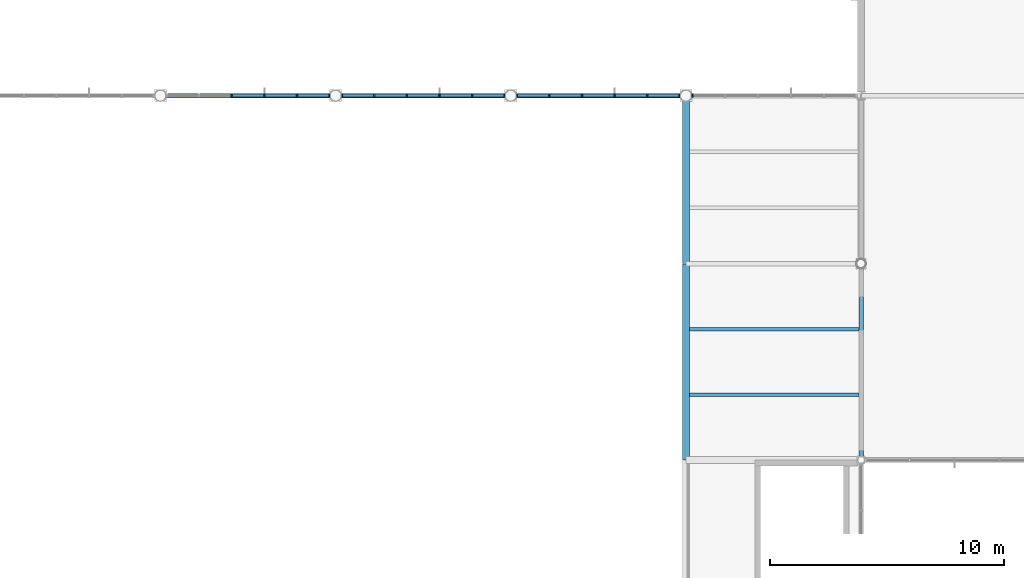
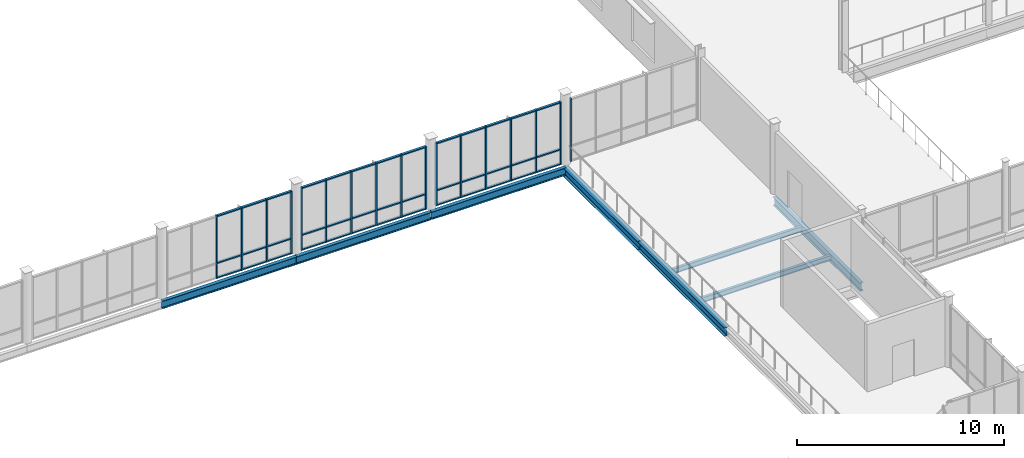
# One storey, part 23 of 75: 56 members, 8 beams, 4 elements without a shape of their own.
"""IFC4 building model written with IfcOpenShell, lengths in metres."""

from ifc_helpers import new_model, si_unit, direction, frame, origin, origin_2d, place, context, subcontext, project, spatial, rectangle, i_section, extrude, material, layer, layer_set, material_profile, profile_set, type_object, element, aggregate, save


model = new_model("IFC4")

# Units and contexts
model_context = context("Model", 3, precision=1e-05, world=origin(), true_north=direction((0.0, 1.0)))
body_context = subcontext(model_context, "Body", "Model", "MODEL_VIEW")
ifc_project = project(units=[si_unit("LENGTHUNIT", "METRE"), si_unit("AREAUNIT", "SQUARE_METRE"), si_unit("VOLUMEUNIT", "CUBIC_METRE"), si_unit("PLANEANGLEUNIT", "RADIAN"), si_unit("MASSUNIT", "GRAM", prefix="KILO")], contexts=[model_context])

# Site, building, storey
site_placement = place(None, origin())
site = spatial("IfcSite", under=ifc_project, at=site_placement, CompositionType="ELEMENT")
building_placement = place(site_placement, origin())
building = spatial("IfcBuilding", under=site, at=building_placement, Name="Yukiwa Park Conservatory and Herbarium", CompositionType="ELEMENT")
storey_placement = place(building_placement, frame((0.0, 0.0, 4.800048828125)))
storey = spatial("IfcBuildingStorey", under=building, at=storey_placement, Name="L01", CompositionType="ELEMENT", Elevation=4.800048828125)

# Beams
ifc_material_1 = material(Name="Steel Q355D", Category="steel")
ifc_material_profile_1 = material_profile(ifc_material_1, i_section(OverallWidth=0.199951171875, OverallDepth=0.449951171875, WebThickness=0.009033203125, FlangeThickness=0.013916015625, FilletRadius=0.01806640625, at=origin_2d()), Name="HN 450x200x9x14")
ifc_profile_set_1 = profile_set([ifc_material_profile_1], Name="Steel Q355D")
beam_type_1 = type_object("IfcBeamType", Name="BM-GRD-HN450", PredefinedType="BEAM", material=ifc_profile_set_1)
for number, where, z_axis, x_axis, name in (
    (1, (30.006103515625, 31.199951171875, -0.465087890625), (1.0, 0.0, 0.0), (0.0, 1.0, 0.0), "L01 grid beam X-22"),
    (2, (37.506103515625, 31.199951171875, -0.465087890625), (1.0, 0.0, 0.0), (0.0, 1.0, 0.0), "L01 grid beam X-23"),
    (3, (45.006103515625, 31.199951171875, -0.465087890625), (1.0, 0.0, 0.0), (0.0, 1.0, 0.0), "L01 grid beam X-24"),
):
    element("IfcBeam", number, at=place(storey_placement, frame(where, z_axis=z_axis, x_axis=x_axis)), inside=storey, type_object=beam_type_1, Name=name, PredefinedType="BEAM", context=body_context, shape_type="SweptSolid", body=[
        extrude(i_section(OverallWidth=0.199951171875, OverallDepth=0.449951171875, WebThickness=0.009033203125, FlangeThickness=0.013916015625, FilletRadius=0.01806640625, at=origin_2d()), origin(), (0.0, 0.0, 1.0), 7.48779296875),
    ])
ifc_material_2 = material(Name="Steel Q355D", Category="steel")
ifc_material_profile_2 = material_profile(ifc_material_2, i_section(OverallWidth=0.199951171875, OverallDepth=0.5, WebThickness=0.010009765625, FlangeThickness=0.01611328125, FilletRadius=0.02001953125, at=origin_2d()), Name="HN 500x200x10x16")
ifc_profile_set_2 = profile_set([ifc_material_profile_2], Name="Steel Q355D")
beam_type_2 = type_object("IfcBeamType", Name="BM-GRD-HN500", PredefinedType="BEAM", material=ifc_profile_set_2)
beam_1_placement = place(storey_placement, frame((60.0, 15.60595703125, -0.489990234375), z_axis=(0.0, 1.0, 0.0), x_axis=(-1.0, 0.0, 0.0)))
element("IfcBeam", 4, at=beam_1_placement, inside=storey, type_object=beam_type_2, Name="L01 grid girder Y-117", PredefinedType="BEAM", context=body_context, shape_type="SweptSolid", body=[
    extrude(i_section(OverallWidth=0.199951171875, OverallDepth=0.5, WebThickness=0.010009765625, FlangeThickness=0.01611328125, FilletRadius=0.02001953125, at=origin_2d()), origin(), (0.0, 0.0, 1.0), 8.387939453125),
])
ifc_material_3 = material(Name="Steel Q355D", Category="steel")
ifc_material_profile_3 = material_profile(ifc_material_3, i_section(OverallWidth=0.14990234375, OverallDepth=0.300048828125, WebThickness=0.006591796875, FlangeThickness=0.009033203125, FilletRadius=0.012939453125, at=origin_2d()), Name="HN 300x150x6.5x9")
ifc_profile_set_3 = profile_set([ifc_material_profile_3], Name="Steel Q355D")
beam_type_3 = type_object("IfcBeamType", Name="BM-JST-HN300", PredefinedType="JOIST", material=ifc_profile_set_3)
for number, where, z_axis, x_axis, name in (
    (5, (52.64599609375, 18.39990234375, -0.39013671875), (1.0, 0.0, 0.0), (0.0, 1.0, 0.0), "L01 composite floor joist 3"),
    (6, (52.64599609375, 21.199951171875, -0.39013671875), (1.0, 0.0, 0.0), (0.0, 1.0, 0.0), "L01 composite floor joist 4"),
):
    element("IfcBeam", number, at=place(storey_placement, frame(where, z_axis=z_axis, x_axis=x_axis)), inside=storey, type_object=beam_type_3, Name=name, PredefinedType="JOIST", context=body_context, shape_type="SweptSolid", body=[
        extrude(i_section(OverallWidth=0.14990234375, OverallDepth=0.300048828125, WebThickness=0.006591796875, FlangeThickness=0.009033203125, FilletRadius=0.012939453125, at=origin_2d()), origin(), (0.0, 0.0, 1.0), 7.258056640625),
    ])
ifc_material_4 = material(Name="Steel Q355D", Category="steel")
ifc_material_profile_4 = material_profile(ifc_material_4, i_section(OverallWidth=0.300048828125, OverallDepth=0.493896484375, WebThickness=0.010986328125, FlangeThickness=0.014892578125, FilletRadius=0.02392578125, at=origin_2d()), Name="HM 494x300x11x15")
ifc_profile_set_4 = profile_set([ifc_material_profile_4], Name="Steel Q355D")
beam_type_4 = type_object("IfcBeamType", Name="BM-SPN-HN450", PredefinedType="SPANDREL", material=ifc_profile_set_4)
beam_2_placement = place(storey_placement, frame((52.5, 24.006103515625, -0.487060546875), z_axis=(0.0, 1.0, 0.0), x_axis=(-1.0, 0.0, 0.0)))
element("IfcBeam", 7, at=beam_2_placement, inside=storey, type_object=beam_type_4, Name="L01 spandrel girder Y-114", PredefinedType="SPANDREL", context=body_context, shape_type="SweptSolid", body=[
    extrude(i_section(OverallWidth=0.300048828125, OverallDepth=0.493896484375, WebThickness=0.010986328125, FlangeThickness=0.014892578125, FilletRadius=0.02392578125, at=origin_2d()), origin(), (0.0, 0.0, 1.0), 7.18798828125),
])
ifc_material_5 = material(Name="Steel Q355D", Category="steel")
ifc_material_profile_5 = material_profile(ifc_material_5, i_section(OverallWidth=0.300048828125, OverallDepth=0.5, WebThickness=0.010986328125, FlangeThickness=0.01806640625, FilletRadius=0.02392578125, at=origin_2d()), Name="HM 500x300x11x18")
ifc_profile_set_5 = profile_set([ifc_material_profile_5], Name="Steel Q355D")
beam_type_5 = type_object("IfcBeamType", Name="BM-SPN-HN500", PredefinedType="SPANDREL", material=ifc_profile_set_5)
beam_3_placement = place(storey_placement, frame((52.5, 15.60595703125, -0.489990234375), z_axis=(0.0, 1.0, 0.0), x_axis=(-1.0, 0.0, 0.0)))
element("IfcBeam", 8, at=beam_3_placement, inside=storey, type_object=beam_type_5, Name="L01 spandrel girder Y-113", PredefinedType="SPANDREL", context=body_context, shape_type="SweptSolid", body=[
    extrude(i_section(OverallWidth=0.300048828125, OverallDepth=0.5, WebThickness=0.010986328125, FlangeThickness=0.01806640625, FilletRadius=0.02392578125, at=origin_2d()), origin(), (0.0, 0.0, 1.0), 8.387939453125),
])

# Curtain wall, member
ifc_material_6 = material(Name="Triple Low-E Insulated Glass", Category="glass")
ifc_layer = layer(ifc_material_6, 0.152099609375)
ifc_layer_set = layer_set([ifc_layer], Name="Triple Low-E Insulated Glass")
curtain_wall_type = type_object("IfcCurtainWallType", Name="CW-CONSERVATORY-1500", PredefinedType="NOTDEFINED", material=ifc_layer_set)
curtain_wall_1_placement = place(storey_placement, origin())
curtain_wall_1 = element("IfcCurtainWall", 9, at=curtain_wall_1_placement, inside=storey, type_object=curtain_wall_type, Name="L01 unitised curtain wall CW-L01-050", PredefinedType="NOTDEFINED")
ifc_material_7 = material(Name="Anodised Aluminium", Category="aluminium")
member_type_1 = type_object("IfcMemberType", Name="MB-CW-MUL-70X150", PredefinedType="MULLION", material=ifc_material_7)
member_1_placement = place(storey_placement, frame((52.7890625, 31.199951171875, 0.0), z_axis=(0.0, 0.0, 1.0), x_axis=(-1.0, 0.0, 0.0)))
member_1 = element("IfcMember", 10, at=member_1_placement, type_object=member_type_1, Name="CW-L01-050 mullion 6", PredefinedType="MULLION", context=body_context, shape_type="SweptSolid", body=[
    extrude(rectangle(XDim=0.070068359375, YDim=0.14990234375, at=origin_2d()), origin(), (0.0, 0.0, 1.0), 3.699951171875),
])
aggregate(curtain_wall_1, [member_1])

# Curtain wall, members
curtain_wall_2_placement = place(storey_placement, origin())
curtain_wall_2 = element("IfcCurtainWall", 11, at=curtain_wall_2_placement, inside=storey, type_object=curtain_wall_type, Name="L01 unitised curtain wall CW-L01-051", PredefinedType="NOTDEFINED")
member_2_placement = place(storey_placement, frame((52.2109375, 31.199951171875, 0.0), z_axis=(0.0, 0.0, 1.0), x_axis=(-1.0, 0.0, 0.0)))
member_2 = element("IfcMember", 12, at=member_2_placement, type_object=member_type_1, Name="CW-L01-051 mullion 1", PredefinedType="MULLION", context=body_context, shape_type="SweptSolid", body=[
    extrude(rectangle(XDim=0.070068359375, YDim=0.14990234375, at=origin_2d()), origin(), (0.0, 0.0, 1.0), 3.699951171875),
])
member_3_placement = place(storey_placement, frame((50.84765625, 31.199951171875, 0.0), z_axis=(0.0, 0.0, 1.0), x_axis=(-1.0, 0.0, 0.0)))
member_3 = element("IfcMember", 13, at=member_3_placement, type_object=member_type_1, Name="CW-L01-051 mullion 2", PredefinedType="MULLION", context=body_context, shape_type="SweptSolid", body=[
    extrude(rectangle(XDim=0.070068359375, YDim=0.14990234375, at=origin_2d()), origin(), (0.0, 0.0, 1.0), 3.699951171875),
])
member_4_placement = place(storey_placement, frame((49.44921875, 31.199951171875, 0.0), z_axis=(0.0, 0.0, 1.0), x_axis=(-1.0, 0.0, 0.0)))
member_4 = element("IfcMember", 14, at=member_4_placement, type_object=member_type_1, Name="CW-L01-051 mullion 3", PredefinedType="MULLION", context=body_context, shape_type="SweptSolid", body=[
    extrude(rectangle(XDim=0.070068359375, YDim=0.14990234375, at=origin_2d()), origin(), (0.0, 0.0, 1.0), 3.699951171875),
])
member_5_placement = place(storey_placement, frame((48.05078125, 31.199951171875, 0.0), z_axis=(0.0, 0.0, 1.0), x_axis=(-1.0, 0.0, 0.0)))
member_5 = element("IfcMember", 15, at=member_5_placement, type_object=member_type_1, Name="CW-L01-051 mullion 4", PredefinedType="MULLION", context=body_context, shape_type="SweptSolid", body=[
    extrude(rectangle(XDim=0.070068359375, YDim=0.14990234375, at=origin_2d()), origin(), (0.0, 0.0, 1.0), 3.699951171875),
])
member_6_placement = place(storey_placement, frame((46.65234375, 31.199951171875, 0.0), z_axis=(0.0, 0.0, 1.0), x_axis=(-1.0, 0.0, 0.0)))
member_6 = element("IfcMember", 16, at=member_6_placement, type_object=member_type_1, Name="CW-L01-051 mullion 5", PredefinedType="MULLION", context=body_context, shape_type="SweptSolid", body=[
    extrude(rectangle(XDim=0.070068359375, YDim=0.14990234375, at=origin_2d()), origin(), (0.0, 0.0, 1.0), 3.699951171875),
])
member_7_placement = place(storey_placement, frame((45.2890625, 31.199951171875, 0.0), z_axis=(0.0, 0.0, 1.0), x_axis=(-1.0, 0.0, 0.0)))
member_7 = element("IfcMember", 17, at=member_7_placement, type_object=member_type_1, Name="CW-L01-051 mullion 6", PredefinedType="MULLION", context=body_context, shape_type="SweptSolid", body=[
    extrude(rectangle(XDim=0.070068359375, YDim=0.14990234375, at=origin_2d()), origin(), (0.0, 0.0, 1.0), 3.699951171875),
])

curtain_wall_3_placement = place(storey_placement, origin())
curtain_wall_3 = element("IfcCurtainWall", 18, at=curtain_wall_3_placement, inside=storey, type_object=curtain_wall_type, Name="L01 unitised curtain wall CW-L01-052", PredefinedType="NOTDEFINED")
member_8_placement = place(storey_placement, frame((44.7109375, 31.199951171875, 0.0), z_axis=(0.0, 0.0, 1.0), x_axis=(-1.0, 0.0, 0.0)))
member_8 = element("IfcMember", 19, at=member_8_placement, type_object=member_type_1, Name="CW-L01-052 mullion 1", PredefinedType="MULLION", context=body_context, shape_type="SweptSolid", body=[
    extrude(rectangle(XDim=0.070068359375, YDim=0.14990234375, at=origin_2d()), origin(), (0.0, 0.0, 1.0), 3.699951171875),
])
member_9_placement = place(storey_placement, frame((43.34765625, 31.199951171875, 0.0), z_axis=(0.0, 0.0, 1.0), x_axis=(-1.0, 0.0, 0.0)))
member_9 = element("IfcMember", 20, at=member_9_placement, type_object=member_type_1, Name="CW-L01-052 mullion 2", PredefinedType="MULLION", context=body_context, shape_type="SweptSolid", body=[
    extrude(rectangle(XDim=0.070068359375, YDim=0.14990234375, at=origin_2d()), origin(), (0.0, 0.0, 1.0), 3.699951171875),
])
member_10_placement = place(storey_placement, frame((41.94921875, 31.199951171875, 0.0), z_axis=(0.0, 0.0, 1.0), x_axis=(-1.0, 0.0, 0.0)))
member_10 = element("IfcMember", 21, at=member_10_placement, type_object=member_type_1, Name="CW-L01-052 mullion 3", PredefinedType="MULLION", context=body_context, shape_type="SweptSolid", body=[
    extrude(rectangle(XDim=0.070068359375, YDim=0.14990234375, at=origin_2d()), origin(), (0.0, 0.0, 1.0), 3.699951171875),
])
member_11_placement = place(storey_placement, frame((40.55078125, 31.199951171875, 0.0), z_axis=(0.0, 0.0, 1.0), x_axis=(-1.0, 0.0, 0.0)))
member_11 = element("IfcMember", 22, at=member_11_placement, type_object=member_type_1, Name="CW-L01-052 mullion 4", PredefinedType="MULLION", context=body_context, shape_type="SweptSolid", body=[
    extrude(rectangle(XDim=0.070068359375, YDim=0.14990234375, at=origin_2d()), origin(), (0.0, 0.0, 1.0), 3.699951171875),
])
member_12_placement = place(storey_placement, frame((39.15234375, 31.199951171875, 0.0), z_axis=(0.0, 0.0, 1.0), x_axis=(-1.0, 0.0, 0.0)))
member_12 = element("IfcMember", 23, at=member_12_placement, type_object=member_type_1, Name="CW-L01-052 mullion 5", PredefinedType="MULLION", context=body_context, shape_type="SweptSolid", body=[
    extrude(rectangle(XDim=0.070068359375, YDim=0.14990234375, at=origin_2d()), origin(), (0.0, 0.0, 1.0), 3.699951171875),
])
member_13_placement = place(storey_placement, frame((37.7890625, 31.199951171875, 0.0), z_axis=(0.0, 0.0, 1.0), x_axis=(-1.0, 0.0, 0.0)))
member_13 = element("IfcMember", 24, at=member_13_placement, type_object=member_type_1, Name="CW-L01-052 mullion 6", PredefinedType="MULLION", context=body_context, shape_type="SweptSolid", body=[
    extrude(rectangle(XDim=0.070068359375, YDim=0.14990234375, at=origin_2d()), origin(), (0.0, 0.0, 1.0), 3.699951171875),
])

curtain_wall_4_placement = place(storey_placement, origin())
curtain_wall_4 = element("IfcCurtainWall", 25, at=curtain_wall_4_placement, inside=storey, type_object=curtain_wall_type, Name="L01 unitised curtain wall CW-L01-053", PredefinedType="NOTDEFINED")
member_14_placement = place(storey_placement, frame((37.2109375, 31.199951171875, 0.0), z_axis=(0.0, 0.0, 1.0), x_axis=(-1.0, 0.0, 0.0)))
member_14 = element("IfcMember", 26, at=member_14_placement, type_object=member_type_1, Name="CW-L01-053 mullion 1", PredefinedType="MULLION", context=body_context, shape_type="SweptSolid", body=[
    extrude(rectangle(XDim=0.070068359375, YDim=0.14990234375, at=origin_2d()), origin(), (0.0, 0.0, 1.0), 3.699951171875),
])
member_15_placement = place(storey_placement, frame((35.84765625, 31.199951171875, 0.0), z_axis=(0.0, 0.0, 1.0), x_axis=(-1.0, 0.0, 0.0)))
member_15 = element("IfcMember", 27, at=member_15_placement, type_object=member_type_1, Name="CW-L01-053 mullion 2", PredefinedType="MULLION", context=body_context, shape_type="SweptSolid", body=[
    extrude(rectangle(XDim=0.070068359375, YDim=0.14990234375, at=origin_2d()), origin(), (0.0, 0.0, 1.0), 3.699951171875),
])
member_16_placement = place(storey_placement, frame((34.44921875, 31.199951171875, 0.0), z_axis=(0.0, 0.0, 1.0), x_axis=(-1.0, 0.0, 0.0)))
member_16 = element("IfcMember", 28, at=member_16_placement, type_object=member_type_1, Name="CW-L01-053 mullion 3", PredefinedType="MULLION", context=body_context, shape_type="SweptSolid", body=[
    extrude(rectangle(XDim=0.070068359375, YDim=0.14990234375, at=origin_2d()), origin(), (0.0, 0.0, 1.0), 3.699951171875),
])
member_17_placement = place(storey_placement, frame((33.05078125, 31.199951171875, 0.0), z_axis=(0.0, 0.0, 1.0), x_axis=(-1.0, 0.0, 0.0)))
member_17 = element("IfcMember", 29, at=member_17_placement, type_object=member_type_1, Name="CW-L01-053 mullion 4", PredefinedType="MULLION", context=body_context, shape_type="SweptSolid", body=[
    extrude(rectangle(XDim=0.070068359375, YDim=0.14990234375, at=origin_2d()), origin(), (0.0, 0.0, 1.0), 3.699951171875),
])

# Member
ifc_material_8 = material(Name="Anodised Aluminium", Category="aluminium")
member_type_2 = type_object("IfcMemberType", Name="MB-CW-TRN-70X130", PredefinedType="USERDEFINED", material=ifc_material_8)
member_18_placement = place(storey_placement, frame((51.546875, 31.199951171875, 0.0), z_axis=(0.0, 0.0, 1.0), x_axis=(-1.0, 0.0, 0.0)))
member_18 = element("IfcMember", 30, at=member_18_placement, type_object=member_type_2, Name="CW-L01-051 transom 1.1", ObjectType="TRANSOM", PredefinedType="USERDEFINED", context=body_context, shape_type="SweptSolid", body=[
    extrude(rectangle(XDim=1.328369140625, YDim=0.1298828125, at=origin_2d()), origin(), (0.0, 0.0, 1.0), 0.070068359375),
])

member_19_placement = place(storey_placement, frame((51.546875, 31.199951171875, 0.86474609375), z_axis=(0.0, 0.0, 1.0), x_axis=(-1.0, 0.0, 0.0)))
member_19 = element("IfcMember", 31, at=member_19_placement, type_object=member_type_2, Name="CW-L01-051 transom 1.2", ObjectType="TRANSOM", PredefinedType="USERDEFINED", context=body_context, shape_type="SweptSolid", body=[
    extrude(rectangle(XDim=1.328369140625, YDim=0.1298828125, at=origin_2d()), origin(), (0.0, 0.0, 1.0), 0.070068359375),
])

member_20_placement = place(storey_placement, frame((51.546875, 31.199951171875, 3.6298828125), z_axis=(0.0, 0.0, 1.0), x_axis=(-1.0, 0.0, 0.0)))
member_20 = element("IfcMember", 32, at=member_20_placement, type_object=member_type_2, Name="CW-L01-051 transom 1.3", ObjectType="TRANSOM", PredefinedType="USERDEFINED", context=body_context, shape_type="SweptSolid", body=[
    extrude(rectangle(XDim=1.328369140625, YDim=0.1298828125, at=origin_2d()), origin(), (0.0, 0.0, 1.0), 0.070068359375),
])

member_21_placement = place(storey_placement, frame((50.1484375, 31.199951171875, 0.0), z_axis=(0.0, 0.0, 1.0), x_axis=(-1.0, 0.0, 0.0)))
member_21 = element("IfcMember", 33, at=member_21_placement, type_object=member_type_2, Name="CW-L01-051 transom 2.1", ObjectType="TRANSOM", PredefinedType="USERDEFINED", context=body_context, shape_type="SweptSolid", body=[
    extrude(rectangle(XDim=1.328369140625, YDim=0.1298828125, at=origin_2d()), origin(), (0.0, 0.0, 1.0), 0.070068359375),
])

member_22_placement = place(storey_placement, frame((50.1484375, 31.199951171875, 0.86474609375), z_axis=(0.0, 0.0, 1.0), x_axis=(-1.0, 0.0, 0.0)))
member_22 = element("IfcMember", 34, at=member_22_placement, type_object=member_type_2, Name="CW-L01-051 transom 2.2", ObjectType="TRANSOM", PredefinedType="USERDEFINED", context=body_context, shape_type="SweptSolid", body=[
    extrude(rectangle(XDim=1.328369140625, YDim=0.1298828125, at=origin_2d()), origin(), (0.0, 0.0, 1.0), 0.070068359375),
])

member_23_placement = place(storey_placement, frame((50.1484375, 31.199951171875, 3.6298828125), z_axis=(0.0, 0.0, 1.0), x_axis=(-1.0, 0.0, 0.0)))
member_23 = element("IfcMember", 35, at=member_23_placement, type_object=member_type_2, Name="CW-L01-051 transom 2.3", ObjectType="TRANSOM", PredefinedType="USERDEFINED", context=body_context, shape_type="SweptSolid", body=[
    extrude(rectangle(XDim=1.328369140625, YDim=0.1298828125, at=origin_2d()), origin(), (0.0, 0.0, 1.0), 0.070068359375),
])

member_24_placement = place(storey_placement, frame((48.75, 31.199951171875, 0.0), z_axis=(0.0, 0.0, 1.0), x_axis=(-1.0, 0.0, 0.0)))
member_24 = element("IfcMember", 36, at=member_24_placement, type_object=member_type_2, Name="CW-L01-051 transom 3.1", ObjectType="TRANSOM", PredefinedType="USERDEFINED", context=body_context, shape_type="SweptSolid", body=[
    extrude(rectangle(XDim=1.328369140625, YDim=0.1298828125, at=origin_2d()), origin(), (0.0, 0.0, 1.0), 0.070068359375),
])

member_25_placement = place(storey_placement, frame((48.75, 31.199951171875, 0.86474609375), z_axis=(0.0, 0.0, 1.0), x_axis=(-1.0, 0.0, 0.0)))
member_25 = element("IfcMember", 37, at=member_25_placement, type_object=member_type_2, Name="CW-L01-051 transom 3.2", ObjectType="TRANSOM", PredefinedType="USERDEFINED", context=body_context, shape_type="SweptSolid", body=[
    extrude(rectangle(XDim=1.328369140625, YDim=0.1298828125, at=origin_2d()), origin(), (0.0, 0.0, 1.0), 0.070068359375),
])

member_26_placement = place(storey_placement, frame((48.75, 31.199951171875, 3.6298828125), z_axis=(0.0, 0.0, 1.0), x_axis=(-1.0, 0.0, 0.0)))
member_26 = element("IfcMember", 38, at=member_26_placement, type_object=member_type_2, Name="CW-L01-051 transom 3.3", ObjectType="TRANSOM", PredefinedType="USERDEFINED", context=body_context, shape_type="SweptSolid", body=[
    extrude(rectangle(XDim=1.328369140625, YDim=0.1298828125, at=origin_2d()), origin(), (0.0, 0.0, 1.0), 0.070068359375),
])

member_27_placement = place(storey_placement, frame((47.3515625, 31.199951171875, 0.0), z_axis=(0.0, 0.0, 1.0), x_axis=(-1.0, 0.0, 0.0)))
member_27 = element("IfcMember", 39, at=member_27_placement, type_object=member_type_2, Name="CW-L01-051 transom 4.1", ObjectType="TRANSOM", PredefinedType="USERDEFINED", context=body_context, shape_type="SweptSolid", body=[
    extrude(rectangle(XDim=1.328369140625, YDim=0.1298828125, at=origin_2d()), origin(), (0.0, 0.0, 1.0), 0.070068359375),
])

member_28_placement = place(storey_placement, frame((47.3515625, 31.199951171875, 0.86474609375), z_axis=(0.0, 0.0, 1.0), x_axis=(-1.0, 0.0, 0.0)))
member_28 = element("IfcMember", 40, at=member_28_placement, type_object=member_type_2, Name="CW-L01-051 transom 4.2", ObjectType="TRANSOM", PredefinedType="USERDEFINED", context=body_context, shape_type="SweptSolid", body=[
    extrude(rectangle(XDim=1.328369140625, YDim=0.1298828125, at=origin_2d()), origin(), (0.0, 0.0, 1.0), 0.070068359375),
])

member_29_placement = place(storey_placement, frame((47.3515625, 31.199951171875, 3.6298828125), z_axis=(0.0, 0.0, 1.0), x_axis=(-1.0, 0.0, 0.0)))
member_29 = element("IfcMember", 41, at=member_29_placement, type_object=member_type_2, Name="CW-L01-051 transom 4.3", ObjectType="TRANSOM", PredefinedType="USERDEFINED", context=body_context, shape_type="SweptSolid", body=[
    extrude(rectangle(XDim=1.328369140625, YDim=0.1298828125, at=origin_2d()), origin(), (0.0, 0.0, 1.0), 0.070068359375),
])

member_30_placement = place(storey_placement, frame((45.953125, 31.199951171875, 0.0), z_axis=(0.0, 0.0, 1.0), x_axis=(-1.0, 0.0, 0.0)))
member_30 = element("IfcMember", 42, at=member_30_placement, type_object=member_type_2, Name="CW-L01-051 transom 5.1", ObjectType="TRANSOM", PredefinedType="USERDEFINED", context=body_context, shape_type="SweptSolid", body=[
    extrude(rectangle(XDim=1.328369140625, YDim=0.1298828125, at=origin_2d()), origin(), (0.0, 0.0, 1.0), 0.070068359375),
])

member_31_placement = place(storey_placement, frame((45.953125, 31.199951171875, 0.86474609375), z_axis=(0.0, 0.0, 1.0), x_axis=(-1.0, 0.0, 0.0)))
member_31 = element("IfcMember", 43, at=member_31_placement, type_object=member_type_2, Name="CW-L01-051 transom 5.2", ObjectType="TRANSOM", PredefinedType="USERDEFINED", context=body_context, shape_type="SweptSolid", body=[
    extrude(rectangle(XDim=1.328369140625, YDim=0.1298828125, at=origin_2d()), origin(), (0.0, 0.0, 1.0), 0.070068359375),
])

member_32_placement = place(storey_placement, frame((45.953125, 31.199951171875, 3.6298828125), z_axis=(0.0, 0.0, 1.0), x_axis=(-1.0, 0.0, 0.0)))
member_32 = element("IfcMember", 44, at=member_32_placement, type_object=member_type_2, Name="CW-L01-051 transom 5.3", ObjectType="TRANSOM", PredefinedType="USERDEFINED", context=body_context, shape_type="SweptSolid", body=[
    extrude(rectangle(XDim=1.328369140625, YDim=0.1298828125, at=origin_2d()), origin(), (0.0, 0.0, 1.0), 0.070068359375),
])

aggregate(curtain_wall_2, [member_2, member_3, member_4, member_5, member_6, member_7, member_18, member_19, member_20, member_21, member_22, member_23, member_24, member_25, member_26, member_27, member_28, member_29, member_30, member_31, member_32])

member_33_placement = place(storey_placement, frame((44.046875, 31.199951171875, 0.0), z_axis=(0.0, 0.0, 1.0), x_axis=(-1.0, 0.0, 0.0)))
member_33 = element("IfcMember", 45, at=member_33_placement, type_object=member_type_2, Name="CW-L01-052 transom 1.1", ObjectType="TRANSOM", PredefinedType="USERDEFINED", context=body_context, shape_type="SweptSolid", body=[
    extrude(rectangle(XDim=1.328369140625, YDim=0.1298828125, at=origin_2d()), origin(), (0.0, 0.0, 1.0), 0.070068359375),
])

member_34_placement = place(storey_placement, frame((44.046875, 31.199951171875, 0.86474609375), z_axis=(0.0, 0.0, 1.0), x_axis=(-1.0, 0.0, 0.0)))
member_34 = element("IfcMember", 46, at=member_34_placement, type_object=member_type_2, Name="CW-L01-052 transom 1.2", ObjectType="TRANSOM", PredefinedType="USERDEFINED", context=body_context, shape_type="SweptSolid", body=[
    extrude(rectangle(XDim=1.328369140625, YDim=0.1298828125, at=origin_2d()), origin(), (0.0, 0.0, 1.0), 0.070068359375),
])

member_35_placement = place(storey_placement, frame((44.046875, 31.199951171875, 3.6298828125), z_axis=(0.0, 0.0, 1.0), x_axis=(-1.0, 0.0, 0.0)))
member_35 = element("IfcMember", 47, at=member_35_placement, type_object=member_type_2, Name="CW-L01-052 transom 1.3", ObjectType="TRANSOM", PredefinedType="USERDEFINED", context=body_context, shape_type="SweptSolid", body=[
    extrude(rectangle(XDim=1.328369140625, YDim=0.1298828125, at=origin_2d()), origin(), (0.0, 0.0, 1.0), 0.070068359375),
])

member_36_placement = place(storey_placement, frame((42.6484375, 31.199951171875, 0.0), z_axis=(0.0, 0.0, 1.0), x_axis=(-1.0, 0.0, 0.0)))
member_36 = element("IfcMember", 48, at=member_36_placement, type_object=member_type_2, Name="CW-L01-052 transom 2.1", ObjectType="TRANSOM", PredefinedType="USERDEFINED", context=body_context, shape_type="SweptSolid", body=[
    extrude(rectangle(XDim=1.328369140625, YDim=0.1298828125, at=origin_2d()), origin(), (0.0, 0.0, 1.0), 0.070068359375),
])

member_37_placement = place(storey_placement, frame((42.6484375, 31.199951171875, 0.86474609375), z_axis=(0.0, 0.0, 1.0), x_axis=(-1.0, 0.0, 0.0)))
member_37 = element("IfcMember", 49, at=member_37_placement, type_object=member_type_2, Name="CW-L01-052 transom 2.2", ObjectType="TRANSOM", PredefinedType="USERDEFINED", context=body_context, shape_type="SweptSolid", body=[
    extrude(rectangle(XDim=1.328369140625, YDim=0.1298828125, at=origin_2d()), origin(), (0.0, 0.0, 1.0), 0.070068359375),
])

member_38_placement = place(storey_placement, frame((42.6484375, 31.199951171875, 3.6298828125), z_axis=(0.0, 0.0, 1.0), x_axis=(-1.0, 0.0, 0.0)))
member_38 = element("IfcMember", 50, at=member_38_placement, type_object=member_type_2, Name="CW-L01-052 transom 2.3", ObjectType="TRANSOM", PredefinedType="USERDEFINED", context=body_context, shape_type="SweptSolid", body=[
    extrude(rectangle(XDim=1.328369140625, YDim=0.1298828125, at=origin_2d()), origin(), (0.0, 0.0, 1.0), 0.070068359375),
])

member_39_placement = place(storey_placement, frame((41.25, 31.199951171875, 0.0), z_axis=(0.0, 0.0, 1.0), x_axis=(-1.0, 0.0, 0.0)))
member_39 = element("IfcMember", 51, at=member_39_placement, type_object=member_type_2, Name="CW-L01-052 transom 3.1", ObjectType="TRANSOM", PredefinedType="USERDEFINED", context=body_context, shape_type="SweptSolid", body=[
    extrude(rectangle(XDim=1.328369140625, YDim=0.1298828125, at=origin_2d()), origin(), (0.0, 0.0, 1.0), 0.070068359375),
])

member_40_placement = place(storey_placement, frame((41.25, 31.199951171875, 0.86474609375), z_axis=(0.0, 0.0, 1.0), x_axis=(-1.0, 0.0, 0.0)))
member_40 = element("IfcMember", 52, at=member_40_placement, type_object=member_type_2, Name="CW-L01-052 transom 3.2", ObjectType="TRANSOM", PredefinedType="USERDEFINED", context=body_context, shape_type="SweptSolid", body=[
    extrude(rectangle(XDim=1.328369140625, YDim=0.1298828125, at=origin_2d()), origin(), (0.0, 0.0, 1.0), 0.070068359375),
])

member_41_placement = place(storey_placement, frame((41.25, 31.199951171875, 3.6298828125), z_axis=(0.0, 0.0, 1.0), x_axis=(-1.0, 0.0, 0.0)))
member_41 = element("IfcMember", 53, at=member_41_placement, type_object=member_type_2, Name="CW-L01-052 transom 3.3", ObjectType="TRANSOM", PredefinedType="USERDEFINED", context=body_context, shape_type="SweptSolid", body=[
    extrude(rectangle(XDim=1.328369140625, YDim=0.1298828125, at=origin_2d()), origin(), (0.0, 0.0, 1.0), 0.070068359375),
])

member_42_placement = place(storey_placement, frame((39.8515625, 31.199951171875, 0.0), z_axis=(0.0, 0.0, 1.0), x_axis=(-1.0, 0.0, 0.0)))
member_42 = element("IfcMember", 54, at=member_42_placement, type_object=member_type_2, Name="CW-L01-052 transom 4.1", ObjectType="TRANSOM", PredefinedType="USERDEFINED", context=body_context, shape_type="SweptSolid", body=[
    extrude(rectangle(XDim=1.328369140625, YDim=0.1298828125, at=origin_2d()), origin(), (0.0, 0.0, 1.0), 0.070068359375),
])

member_43_placement = place(storey_placement, frame((39.8515625, 31.199951171875, 0.86474609375), z_axis=(0.0, 0.0, 1.0), x_axis=(-1.0, 0.0, 0.0)))
member_43 = element("IfcMember", 55, at=member_43_placement, type_object=member_type_2, Name="CW-L01-052 transom 4.2", ObjectType="TRANSOM", PredefinedType="USERDEFINED", context=body_context, shape_type="SweptSolid", body=[
    extrude(rectangle(XDim=1.328369140625, YDim=0.1298828125, at=origin_2d()), origin(), (0.0, 0.0, 1.0), 0.070068359375),
])

member_44_placement = place(storey_placement, frame((39.8515625, 31.199951171875, 3.6298828125), z_axis=(0.0, 0.0, 1.0), x_axis=(-1.0, 0.0, 0.0)))
member_44 = element("IfcMember", 56, at=member_44_placement, type_object=member_type_2, Name="CW-L01-052 transom 4.3", ObjectType="TRANSOM", PredefinedType="USERDEFINED", context=body_context, shape_type="SweptSolid", body=[
    extrude(rectangle(XDim=1.328369140625, YDim=0.1298828125, at=origin_2d()), origin(), (0.0, 0.0, 1.0), 0.070068359375),
])

member_45_placement = place(storey_placement, frame((38.453125, 31.199951171875, 0.0), z_axis=(0.0, 0.0, 1.0), x_axis=(-1.0, 0.0, 0.0)))
member_45 = element("IfcMember", 57, at=member_45_placement, type_object=member_type_2, Name="CW-L01-052 transom 5.1", ObjectType="TRANSOM", PredefinedType="USERDEFINED", context=body_context, shape_type="SweptSolid", body=[
    extrude(rectangle(XDim=1.328369140625, YDim=0.1298828125, at=origin_2d()), origin(), (0.0, 0.0, 1.0), 0.070068359375),
])

member_46_placement = place(storey_placement, frame((38.453125, 31.199951171875, 0.86474609375), z_axis=(0.0, 0.0, 1.0), x_axis=(-1.0, 0.0, 0.0)))
member_46 = element("IfcMember", 58, at=member_46_placement, type_object=member_type_2, Name="CW-L01-052 transom 5.2", ObjectType="TRANSOM", PredefinedType="USERDEFINED", context=body_context, shape_type="SweptSolid", body=[
    extrude(rectangle(XDim=1.328369140625, YDim=0.1298828125, at=origin_2d()), origin(), (0.0, 0.0, 1.0), 0.070068359375),
])

member_47_placement = place(storey_placement, frame((38.453125, 31.199951171875, 3.6298828125), z_axis=(0.0, 0.0, 1.0), x_axis=(-1.0, 0.0, 0.0)))
member_47 = element("IfcMember", 59, at=member_47_placement, type_object=member_type_2, Name="CW-L01-052 transom 5.3", ObjectType="TRANSOM", PredefinedType="USERDEFINED", context=body_context, shape_type="SweptSolid", body=[
    extrude(rectangle(XDim=1.328369140625, YDim=0.1298828125, at=origin_2d()), origin(), (0.0, 0.0, 1.0), 0.070068359375),
])

aggregate(curtain_wall_3, [member_8, member_9, member_10, member_11, member_12, member_13, member_33, member_34, member_35, member_36, member_37, member_38, member_39, member_40, member_41, member_42, member_43, member_44, member_45, member_46, member_47])

member_48_placement = place(storey_placement, frame((36.546875, 31.199951171875, 0.0), z_axis=(0.0, 0.0, 1.0), x_axis=(-1.0, 0.0, 0.0)))
member_48 = element("IfcMember", 60, at=member_48_placement, type_object=member_type_2, Name="CW-L01-053 transom 1.1", ObjectType="TRANSOM", PredefinedType="USERDEFINED", context=body_context, shape_type="SweptSolid", body=[
    extrude(rectangle(XDim=1.328369140625, YDim=0.1298828125, at=origin_2d()), origin(), (0.0, 0.0, 1.0), 0.070068359375),
])

member_49_placement = place(storey_placement, frame((36.546875, 31.199951171875, 0.86474609375), z_axis=(0.0, 0.0, 1.0), x_axis=(-1.0, 0.0, 0.0)))
member_49 = element("IfcMember", 61, at=member_49_placement, type_object=member_type_2, Name="CW-L01-053 transom 1.2", ObjectType="TRANSOM", PredefinedType="USERDEFINED", context=body_context, shape_type="SweptSolid", body=[
    extrude(rectangle(XDim=1.328369140625, YDim=0.1298828125, at=origin_2d()), origin(), (0.0, 0.0, 1.0), 0.070068359375),
])

member_50_placement = place(storey_placement, frame((36.546875, 31.199951171875, 3.6298828125), z_axis=(0.0, 0.0, 1.0), x_axis=(-1.0, 0.0, 0.0)))
member_50 = element("IfcMember", 62, at=member_50_placement, type_object=member_type_2, Name="CW-L01-053 transom 1.3", ObjectType="TRANSOM", PredefinedType="USERDEFINED", context=body_context, shape_type="SweptSolid", body=[
    extrude(rectangle(XDim=1.328369140625, YDim=0.1298828125, at=origin_2d()), origin(), (0.0, 0.0, 1.0), 0.070068359375),
])

member_51_placement = place(storey_placement, frame((35.1484375, 31.199951171875, 0.0), z_axis=(0.0, 0.0, 1.0), x_axis=(-1.0, 0.0, 0.0)))
member_51 = element("IfcMember", 63, at=member_51_placement, type_object=member_type_2, Name="CW-L01-053 transom 2.1", ObjectType="TRANSOM", PredefinedType="USERDEFINED", context=body_context, shape_type="SweptSolid", body=[
    extrude(rectangle(XDim=1.328369140625, YDim=0.1298828125, at=origin_2d()), origin(), (0.0, 0.0, 1.0), 0.070068359375),
])

member_52_placement = place(storey_placement, frame((35.1484375, 31.199951171875, 0.86474609375), z_axis=(0.0, 0.0, 1.0), x_axis=(-1.0, 0.0, 0.0)))
member_52 = element("IfcMember", 64, at=member_52_placement, type_object=member_type_2, Name="CW-L01-053 transom 2.2", ObjectType="TRANSOM", PredefinedType="USERDEFINED", context=body_context, shape_type="SweptSolid", body=[
    extrude(rectangle(XDim=1.328369140625, YDim=0.1298828125, at=origin_2d()), origin(), (0.0, 0.0, 1.0), 0.070068359375),
])

member_53_placement = place(storey_placement, frame((35.1484375, 31.199951171875, 3.6298828125), z_axis=(0.0, 0.0, 1.0), x_axis=(-1.0, 0.0, 0.0)))
member_53 = element("IfcMember", 65, at=member_53_placement, type_object=member_type_2, Name="CW-L01-053 transom 2.3", ObjectType="TRANSOM", PredefinedType="USERDEFINED", context=body_context, shape_type="SweptSolid", body=[
    extrude(rectangle(XDim=1.328369140625, YDim=0.1298828125, at=origin_2d()), origin(), (0.0, 0.0, 1.0), 0.070068359375),
])

member_54_placement = place(storey_placement, frame((33.75, 31.199951171875, 0.0), z_axis=(0.0, 0.0, 1.0), x_axis=(-1.0, 0.0, 0.0)))
member_54 = element("IfcMember", 66, at=member_54_placement, type_object=member_type_2, Name="CW-L01-053 transom 3.1", ObjectType="TRANSOM", PredefinedType="USERDEFINED", context=body_context, shape_type="SweptSolid", body=[
    extrude(rectangle(XDim=1.328369140625, YDim=0.1298828125, at=origin_2d()), origin(), (0.0, 0.0, 1.0), 0.070068359375),
])

member_55_placement = place(storey_placement, frame((33.75, 31.199951171875, 0.86474609375), z_axis=(0.0, 0.0, 1.0), x_axis=(-1.0, 0.0, 0.0)))
member_55 = element("IfcMember", 67, at=member_55_placement, type_object=member_type_2, Name="CW-L01-053 transom 3.2", ObjectType="TRANSOM", PredefinedType="USERDEFINED", context=body_context, shape_type="SweptSolid", body=[
    extrude(rectangle(XDim=1.328369140625, YDim=0.1298828125, at=origin_2d()), origin(), (0.0, 0.0, 1.0), 0.070068359375),
])

member_56_placement = place(storey_placement, frame((33.75, 31.199951171875, 3.6298828125), z_axis=(0.0, 0.0, 1.0), x_axis=(-1.0, 0.0, 0.0)))
member_56 = element("IfcMember", 68, at=member_56_placement, type_object=member_type_2, Name="CW-L01-053 transom 3.3", ObjectType="TRANSOM", PredefinedType="USERDEFINED", context=body_context, shape_type="SweptSolid", body=[
    extrude(rectangle(XDim=1.328369140625, YDim=0.1298828125, at=origin_2d()), origin(), (0.0, 0.0, 1.0), 0.070068359375),
])

aggregate(curtain_wall_4, [member_14, member_15, member_16, member_17, member_48, member_49, member_50, member_51, member_52, member_53, member_54, member_55, member_56])

save(model, "model.ifc")
